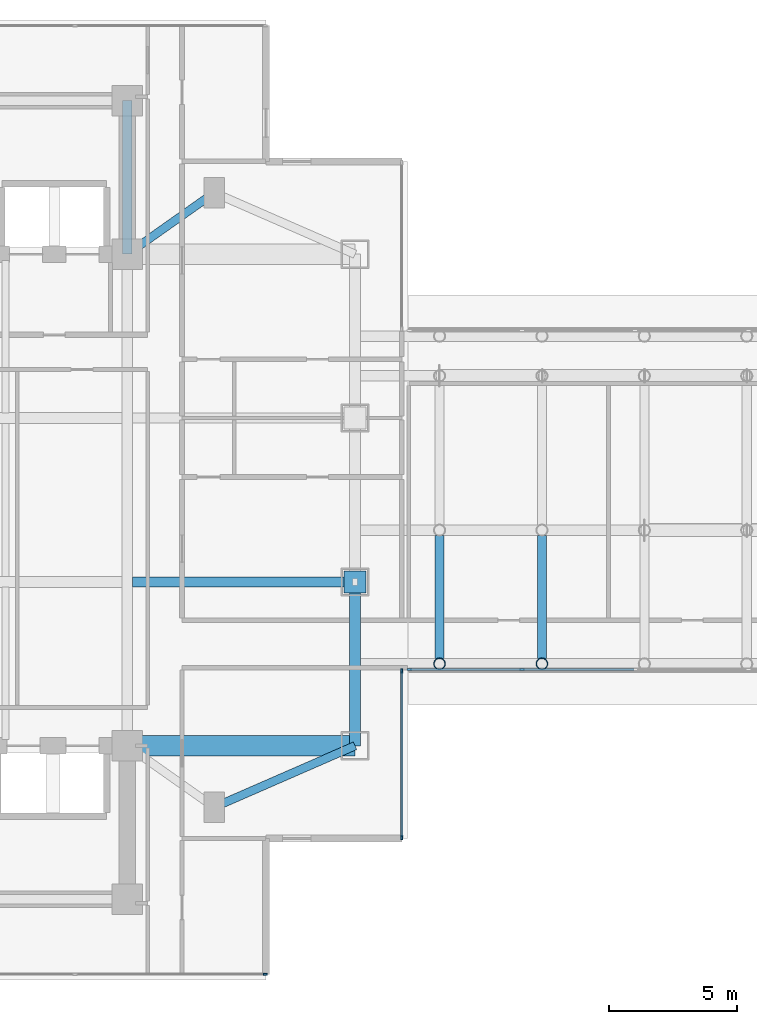
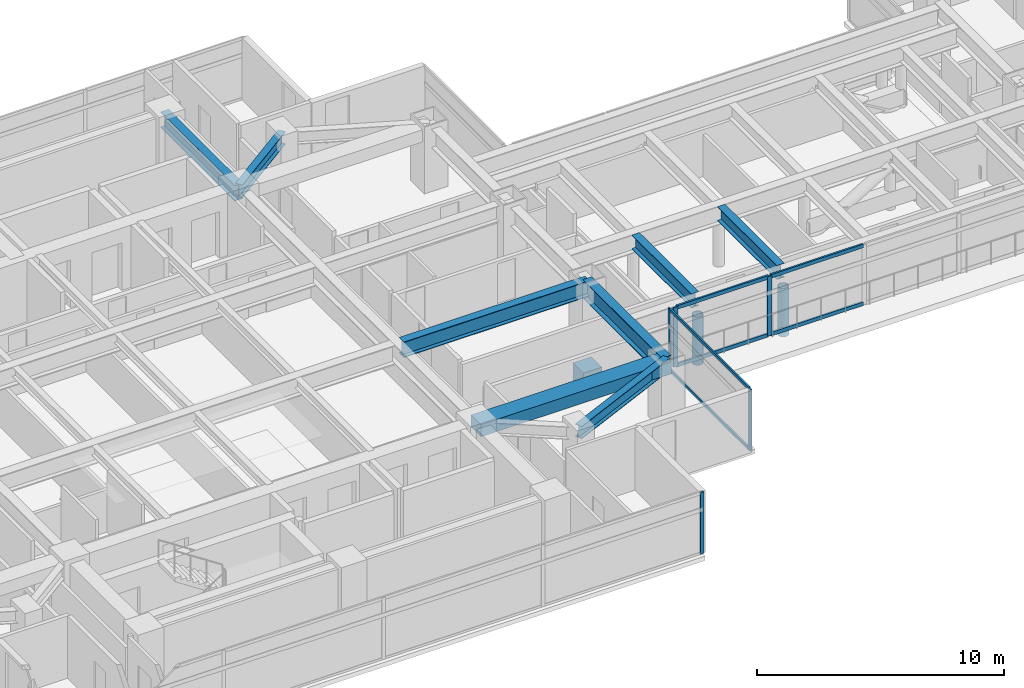
# One storey, part 4 of 29: 14 members, 8 beams, 3 elements without a shape of their own.
"""IFC4 building model written with IfcOpenShell, lengths in metres."""

import ifcopenshell
import ifcopenshell.guid

model = None  # the IFC model being written
_history = None  # IfcOwnerHistory: only IFC2X3 demands one
_inside = {}  # id of a spatial element -> (the spatial element, [elements in it])
_under = {}  # id of a project, library or spatial element -> (it, [spatial elements below it])
_declared = {}  # id of a project -> (the project, [libraries it declares])
_typed = {}  # id of a type object -> (the type object, [elements of that type])
_made_of = {}  # id of a material, layer set ... -> (it, [elements and type objects made of it])


def new_model(schema):
    """Start an empty IFC model of exactly this schema.

    Asked for "IFC4X3", IfcOpenShell would pick the latest addendum, in which some entities
    have other attributes; the version numbers below select the first issue.
    IFC2X3 requires an IfcOwnerHistory on every rooted entity: one is made here for all.
    """
    global model, _history
    if schema == "IFC4X3":
        model = ifcopenshell.file(schema_version=(4, 3, 0, 0))
    else:
        model = ifcopenshell.file(schema=schema)
    _inside.clear()
    _under.clear()
    _declared.clear()
    _typed.clear()
    _made_of.clear()
    _history = None
    if model.schema == "IFC2X3":
        org = make("IfcOrganization", Name="unknown")
        user = make(
            "IfcPersonAndOrganization",
            ThePerson=make("IfcPerson", FamilyName="unknown"),
            TheOrganization=org,
        )
        app = make(
            "IfcApplication",
            ApplicationDeveloper=org,
            Version="unknown",
            ApplicationFullName="unknown",
            ApplicationIdentifier="unknown",
        )
        _history = make(
            "IfcOwnerHistory",
            OwningUser=user,
            OwningApplication=app,
            ChangeAction="ADDED",
            CreationDate=0,
        )
    return model


def make(cls, **values):
    """One entity of the class cls with the attributes given. An attribute that is None is left unset."""
    return model.create_entity(
        cls, **{name: value for name, value in values.items() if value is not None}
    )


def rooted(cls, **values):
    """An entity with a GlobalId (a new one), such as an element, a storey or a relation."""
    return make(cls, GlobalId=ifcopenshell.guid.new(), OwnerHistory=_history, **values)


def si_unit(unit_type, name, prefix=None):
    """IfcSIUnit, for example si_unit("LENGTHUNIT", "METRE", prefix="MILLI")."""
    return make("IfcSIUnit", UnitType=unit_type, Prefix=prefix, Name=name)


def assignment(units):
    """IfcUnitAssignment: the units of a project."""
    return None if units is None else make("IfcUnitAssignment", Units=units)


def point(xyz):
    """IfcCartesianPoint."""
    return None if xyz is None else make("IfcCartesianPoint", Coordinates=xyz)


def direction(xyz):
    """IfcDirection."""
    return None if xyz is None else make("IfcDirection", DirectionRatios=xyz)


def frame(location, z_axis=None, x_axis=None):
    """IfcAxis2Placement3D, a coordinate frame: its origin and axes. An axis left out is left unset."""
    return make(
        "IfcAxis2Placement3D",
        Location=point(location),
        Axis=direction(z_axis),
        RefDirection=direction(x_axis),
    )


def frame_2d(location, x_axis=None):
    """IfcAxis2Placement2D, a coordinate frame in the plane: its origin and x axis."""
    return make(
        "IfcAxis2Placement2D", Location=point(location), RefDirection=direction(x_axis)
    )


def origin():
    """The frame at (0, 0, 0) with its axes left unset."""
    return frame((0.0, 0.0, 0.0))


def origin_2d():
    """The frame at (0, 0) in the plane with its x axis left unset."""
    return frame_2d((0.0, 0.0))


def place(relative_to, where):
    """IfcLocalPlacement: puts the frame where relative to a parent placement (None: the world)."""
    return make(
        "IfcLocalPlacement", PlacementRelTo=relative_to, RelativePlacement=where
    )


def context(
    kind, dimensions, precision=None, world=None, true_north=None, identifier=None
):
    """IfcGeometricRepresentationContext, for example the 3D "Model" context."""
    return make(
        "IfcGeometricRepresentationContext",
        ContextIdentifier=identifier,
        ContextType=kind,
        CoordinateSpaceDimension=dimensions,
        Precision=precision,
        WorldCoordinateSystem=world,
        TrueNorth=true_north,
    )


def subcontext(parent, identifier, kind, view, scale=None):
    """IfcGeometricRepresentationSubContext, for example "Body" below "Model"."""
    return make(
        "IfcGeometricRepresentationSubContext",
        ContextIdentifier=identifier,
        ContextType=kind,
        ParentContext=parent,
        TargetScale=scale,
        TargetView=view,
    )


def project(units=None, contexts=None):
    """IfcProject with its units and contexts."""
    return rooted(
        "IfcProject",
        Name="project",
        RepresentationContexts=contexts,
        UnitsInContext=assignment(units),
    )


def spatial(cls, under=None, at=None, **own):
    """A site, building, storey or space (cls), placed at a placement, below another one or the project."""
    s = rooted(cls, ObjectPlacement=at, **own)
    if under is not None:
        _under.setdefault(under.id(), (under, []))[1].append(s)
    return s


def profile(cls, at=None, kind="AREA", **sizes):
    """A parametric profile (cls). Its sizes go by their IFC names, for example OverallWidth=200.0."""
    return make(cls, ProfileType=kind, Position=at, **sizes)


def rectangle(**sizes):
    """IfcRectangleProfileDef."""
    return profile("IfcRectangleProfileDef", **sizes)


def hollow_circle(**sizes):
    """IfcCircleHollowProfileDef."""
    return profile("IfcCircleHollowProfileDef", **sizes)


def i_section(**sizes):
    """IfcIShapeProfileDef."""
    return profile("IfcIShapeProfileDef", **sizes)


def extrude(swept, where, along, depth):
    """IfcExtrudedAreaSolid: the profile swept, set in the frame where, extruded along a direction by depth."""
    return make(
        "IfcExtrudedAreaSolid",
        SweptArea=swept,
        Position=where,
        ExtrudedDirection=direction(along),
        Depth=depth,
    )


def shape(context_of_items, identifier, shape_type, items):
    """IfcShapeRepresentation: the items that make up one representation, for example the "Body"."""
    return make(
        "IfcShapeRepresentation",
        ContextOfItems=context_of_items,
        RepresentationIdentifier=identifier,
        RepresentationType=shape_type,
        Items=items,
    )


def material(Name=None, Category=None):
    """IfcMaterial."""
    return make("IfcMaterial", Name=Name, Category=Category)


def material_profile(
    of_material, cross_section, Name=None, Category=None, Priority=None
):
    """IfcMaterialProfile: a cross section and its material."""
    return make(
        "IfcMaterialProfile",
        Name=Name,
        Material=of_material,
        Profile=cross_section,
        Priority=Priority,
        Category=Category,
    )


def profile_set(profiles, Name=None, composite=None):
    """IfcMaterialProfileSet."""
    return make(
        "IfcMaterialProfileSet",
        Name=Name,
        MaterialProfiles=profiles,
        CompositeProfile=composite,
    )


def made_of(thing, what):
    """Note that an element or type object is made of a material, layer set ...; save() writes the relation."""
    if what is not None:
        _made_of.setdefault(what.id(), (what, []))[1].append(thing)
    return thing


def type_object(cls, material=None, **own):
    """A type object (cls), such as IfcWallType, which elements share."""
    return made_of(rooted(cls, **own), material)


def element(
    cls,
    number,
    at=None,
    inside=None,
    cuts=None,
    type_object=None,
    material=None,
    context=None,
    identifier="Body",
    shape_type=None,
    held_by="IfcProductDefinitionShape",
    body=None,
    shapes=None,
    **own,
):
    """One element of the class cls, such as IfcWall. Its Tag is "e" and its number.

    at: its placement. inside: the storey or other place that contains it. cuts: it is an
    opening in that element (IfcRelVoidsElement). A single representation is given by context,
    identifier, shape_type and body (its items); several are given by shapes. held_by: the class
    of the entity that holds the representations. save() writes the other relations.
    """
    e = rooted(cls, Tag="e%d" % number, ObjectPlacement=at, **own)
    if body is not None:
        shapes = [shape(context, identifier, shape_type, body)]
    if shapes is not None:
        e.Representation = make(held_by, Representations=shapes)
    if inside is not None:
        _inside.setdefault(inside.id(), (inside, []))[1].append(e)
    if cuts is not None:
        rooted(
            "IfcRelVoidsElement", RelatingBuildingElement=cuts, RelatedOpeningElement=e
        )
    if type_object is not None:
        _typed.setdefault(type_object.id(), (type_object, []))[1].append(e)
    return made_of(e, material)


def aggregate(whole, parts):
    """IfcRelAggregates: a whole, such as a stair, and the parts it consists of."""
    return rooted("IfcRelAggregates", RelatingObject=whole, RelatedObjects=parts)


def save(model, path):
    """Write the relations noted so far, then the file.

    IfcRelAggregates (storeys below a building ...), IfcRelContainedInSpatialStructure (elements
    in a storey), IfcRelDefinesByType, IfcRelAssociatesMaterial and IfcRelDeclares: one each for
    every whole, place, type object, material and project.
    """
    for whole, parts in _under.values():
        aggregate(whole, parts)
    for where, things in _inside.values():
        rooted(
            "IfcRelContainedInSpatialStructure",
            RelatedElements=things,
            RelatingStructure=where,
        )
    for kind, things in _typed.values():
        rooted("IfcRelDefinesByType", RelatedObjects=things, RelatingType=kind)
    for what, things in _made_of.values():
        rooted("IfcRelAssociatesMaterial", RelatedObjects=things, RelatingMaterial=what)
    for by, libraries in _declared.values():
        rooted("IfcRelDeclares", RelatingContext=by, RelatedDefinitions=libraries)
    model.write(path)


model = new_model("IFC4")

# Units and contexts
model_context = context("Model", 3, precision=1e-05, world=origin(), true_north=direction((0.0, 1.0)))
body_context = subcontext(model_context, "Body", "Model", "MODEL_VIEW")
ifc_project = project(units=[si_unit("LENGTHUNIT", "METRE"), si_unit("AREAUNIT", "SQUARE_METRE"), si_unit("VOLUMEUNIT", "CUBIC_METRE"), si_unit("PLANEANGLEUNIT", "RADIAN"), si_unit("MASSUNIT", "GRAM", prefix="KILO")], contexts=[model_context])

# Site, building, storey
site_placement = place(None, origin())
site = spatial("IfcSite", under=ifc_project, at=site_placement, CompositionType="ELEMENT")
building_placement = place(site_placement, origin())
building = spatial("IfcBuilding", under=site, at=building_placement, Name="Mirazonda Arch Towers", CompositionType="ELEMENT")
storey_placement = place(building_placement, frame((0.0, 0.0, 88.39990234375)))
storey = spatial("IfcBuildingStorey", under=building, at=storey_placement, Name="L24", CompositionType="ELEMENT", Elevation=88.39990234375)

# Beams
ifc_material_1 = material(Name="Steel ASTM A992 Grade 50", Category="steel")
ifc_material_profile_1 = material_profile(ifc_material_1, i_section(OverallWidth=0.41796875, OverallDepth=0.927001953125, WebThickness=0.019287109375, FlangeThickness=0.031982421875, at=origin_2d()), Name="W36X231")
ifc_profile_set_1 = profile_set([ifc_material_profile_1], Name="Steel ASTM A992 Grade 50")
beam_type_1 = type_object("IfcBeamType", Name="BM-EXT-W36X231", PredefinedType="USERDEFINED", material=ifc_profile_set_1)
beam_1_placement = place(storey_placement, frame((38.89990234375, 18.39990234375, 2.61669921875), z_axis=(0.0, 1.0, 0.0), x_axis=(-1.0, 0.0, 0.0)))
element("IfcBeam", 1, at=beam_1_placement, inside=storey, type_object=beam_type_1, Name="L24 Floor Beam BM-T1-L24-NS-E-18", ObjectType="GIRDER", PredefinedType="USERDEFINED", context=body_context, shape_type="SweptSolid", body=[
    extrude(i_section(OverallWidth=0.41796875, OverallDepth=0.927001953125, WebThickness=0.019287109375, FlangeThickness=0.031982421875, at=origin_2d()), origin(), (0.0, 0.0, 1.0), 6.400146484375),
])
ifc_material_profile_2 = material_profile(ifc_material_1, i_section(OverallWidth=0.324951171875, OverallDepth=0.615966796875, WebThickness=0.013916015625, FlangeThickness=0.021484375, at=origin_2d()), Name="W24X117")
ifc_profile_set_2 = profile_set([ifc_material_profile_2], Name="Steel ASTM A992 Grade 50")
beam_type_2 = type_object("IfcBeamType", Name="BM-INT-W24X117", PredefinedType="BEAM", material=ifc_profile_set_2)
beam_2_placement = place(storey_placement, frame((33.39990234375, 16.0, 2.772216796875), z_axis=(0.916545343703, 0.399930785183, 0.0), x_axis=(-0.399930785183, 0.916545343703, 0.0)))
element("IfcBeam", 2, at=beam_2_placement, inside=storey, type_object=beam_type_2, Name="L24 Floor Beam BM-T1-L24-PL-SE2", PredefinedType="BEAM", context=body_context, shape_type="SweptSolid", body=[
    extrude(i_section(OverallWidth=0.324951171875, OverallDepth=0.615966796875, WebThickness=0.013916015625, FlangeThickness=0.021484375, at=origin_2d()), origin(), (0.0, 0.0, 1.0), 6.000732421875),
])
beam_3_placement = place(storey_placement, frame((33.39990234375, 40.0, 2.772216796875), z_axis=(-0.816971114901, -0.576678591087, 0.0), x_axis=(0.576678591087, -0.816971114901, 0.0)))
element("IfcBeam", 3, at=beam_3_placement, inside=storey, type_object=beam_type_2, Name="L24 Floor Beam BM-T1-L24-PL-NE1", PredefinedType="BEAM", context=body_context, shape_type="SweptSolid", body=[
    extrude(i_section(OverallWidth=0.324951171875, OverallDepth=0.615966796875, WebThickness=0.013916015625, FlangeThickness=0.021484375, at=origin_2d()), origin(), (0.0, 0.0, 1.0), 4.16162109375),
])
ifc_material_profile_3 = material_profile(ifc_material_1, i_section(OverallWidth=0.35498046875, OverallDepth=0.696044921875, WebThickness=0.015380859375, FlangeThickness=0.02490234375, at=origin_2d()), Name="W27X146")
ifc_profile_set_3 = profile_set([ifc_material_profile_3], Name="Steel ASTM A992 Grade 50")
beam_type_3 = type_object("IfcBeamType", Name="BM-INT-W27X146", PredefinedType="BEAM", material=ifc_profile_set_3)
for number, where, z_axis, x_axis, name in (
    (4, (42.199951171875, 21.803955078125, 2.672119140625), (0.0, 1.0, 0.0), (-1.0, 0.0, 0.0), "L24 Floor Beam BM-BRG-L25-XG1A"),
    (5, (46.199951171875, 21.803955078125, 2.672119140625), (0.0, 1.0, 0.0), (-1.0, 0.0, 0.0), "L24 Floor Beam BM-BRG-L25-XG2A"),
):
    element("IfcBeam", number, at=place(storey_placement, frame(where, z_axis=z_axis, x_axis=x_axis)), inside=storey, type_object=beam_type_3, Name=name, PredefinedType="BEAM", context=body_context, shape_type="SweptSolid", body=[
        extrude(i_section(OverallWidth=0.35498046875, OverallDepth=0.696044921875, WebThickness=0.015380859375, FlangeThickness=0.02490234375, at=origin_2d()), origin(), (0.0, 0.0, 1.0), 4.81201171875),
    ])
ifc_material_profile_4 = material_profile(ifc_material_1, i_section(OverallWidth=0.381103515625, OverallDepth=0.77294921875, WebThickness=0.0166015625, FlangeThickness=0.027099609375, at=origin_2d()), Name="W30X173")
ifc_profile_set_4 = profile_set([ifc_material_profile_4], Name="Steel ASTM A992 Grade 50")
beam_type_4 = type_object("IfcBeamType", Name="BM-INT-W30X173", PredefinedType="USERDEFINED", material=ifc_profile_set_4)
beam_4_placement = place(storey_placement, frame((30.21142578125, 24.800048828125, 2.693603515625), z_axis=(1.0, 0.0, 0.0), x_axis=(0.0, 1.0, 0.0)))
element("IfcBeam", 6, at=beam_4_placement, inside=storey, type_object=beam_type_4, Name="L24 Floor Beam BM-T1-L24-GE2", ObjectType="GIRDER", PredefinedType="USERDEFINED", context=body_context, shape_type="SweptSolid", body=[
    extrude(i_section(OverallWidth=0.381103515625, OverallDepth=0.77294921875, WebThickness=0.0166015625, FlangeThickness=0.027099609375, at=origin_2d()), origin(), (0.0, 0.0, 1.0), 8.6884765625),
])
beam_5_placement = place(storey_placement, frame((30.0, 37.60009765625, 2.693603515625), z_axis=(0.0, 1.0, 0.0), x_axis=(-1.0, 0.0, 0.0)))
element("IfcBeam", 7, at=beam_5_placement, inside=storey, type_object=beam_type_4, Name="L24 Floor Beam BM-T1-L24-CNE", ObjectType="GIRDER", PredefinedType="USERDEFINED", context=body_context, shape_type="SweptSolid", body=[
    extrude(i_section(OverallWidth=0.381103515625, OverallDepth=0.77294921875, WebThickness=0.0166015625, FlangeThickness=0.027099609375, at=origin_2d()), origin(), (0.0, 0.0, 1.0), 6.0),
])
ifc_material_2 = material(Name="Concrete C60/75", Category="concrete")
ifc_material_profile_5 = material_profile(ifc_material_2, rectangle(XDim=0.800048828125, YDim=0.60009765625, at=origin_2d()), Name="RCCB800x600")
ifc_profile_set_5 = profile_set([ifc_material_profile_5], Name="Concrete C60/75")
beam_type_5 = type_object("IfcBeamType", Name="CB-INT-RCCB800x600", PredefinedType="SPANDREL", material=ifc_profile_set_5)
beam_6_placement = place(storey_placement, frame((30.0, 18.39990234375, 2.780029296875), z_axis=(1.0, 0.0, 0.0), x_axis=(0.0, 1.0, 0.0)))
element("IfcBeam", 8, at=beam_6_placement, inside=storey, type_object=beam_type_5, Name="L24 Floor Beam CBC-T1-L24-SE", PredefinedType="SPANDREL", context=body_context, shape_type="SweptSolid", body=[
    extrude(rectangle(XDim=0.800048828125, YDim=0.60009765625, at=origin_2d()), origin(), (0.0, 0.0, 1.0), 8.89990234375),
])

# Members
ifc_material_3 = material(Name="Steel ASTM A572 Grade 50", Category="steel")
ifc_material_profile_6 = material_profile(ifc_material_3, hollow_circle(Radius=0.228515625, WallThickness=0.02197265625, at=origin_2d()), Name="BELTSTRUT457x22CHS")
ifc_profile_set_6 = profile_set([ifc_material_profile_6], Name="Steel ASTM A572 Grade 50")
member_type_1 = type_object("IfcMemberType", Name="MBR-EXT-BELTSTRUT457x22CHS", PredefinedType="STRUT", material=ifc_profile_set_6)
for number, where, z_axis, x_axis, name in (
    (9, (42.199951171875, 21.60009765625, -0.289794921875), (0.0, 0.0, 1.0), (1.0, 0.0, 0.0), "L24 Skybridge S Vierendeel Post 1"),
    (10, (46.199951171875, 21.60009765625, -0.289794921875), (0.0, 0.0, 1.0), (1.0, 0.0, 0.0), "L24 Skybridge S Vierendeel Post 2"),
):
    element("IfcMember", number, at=place(storey_placement, frame(where, z_axis=z_axis, x_axis=x_axis)), inside=storey, type_object=member_type_1, Name=name, PredefinedType="STRUT", context=body_context, shape_type="SweptSolid", body=[
        extrude(hollow_circle(Radius=0.228515625, WallThickness=0.02197265625, at=origin_2d()), origin(), (0.0, 0.0, 1.0), 2.392822265625),
    ])
ifc_material_profile_7 = material_profile(ifc_material_3, rectangle(XDim=0.85009765625, YDim=0.85009765625, at=origin_2d()), Name="SLIDEBEARING850x850x220")
ifc_profile_set_7 = profile_set([ifc_material_profile_7], Name="Steel ASTM A572 Grade 50")
member_type_2 = type_object("IfcMemberType", Name="MBR-EXT-SLIDEBEARING850x850x220", PredefinedType="USERDEFINED", material=ifc_profile_set_7)
member_1_placement = place(storey_placement, frame((38.89990234375, 24.800048828125, -2.156982421875), z_axis=(0.0, 0.0, 1.0), x_axis=(1.0, 0.0, 0.0)))
element("IfcMember", 11, at=member_1_placement, inside=storey, type_object=member_type_2, Name="SB1 Skybridge Bearing BRG-BEAR-SB1-1", ObjectType="BEARING", PredefinedType="USERDEFINED", context=body_context, shape_type="SweptSolid", body=[
    extrude(rectangle(XDim=0.85009765625, YDim=0.85009765625, at=origin_2d()), origin(), (0.0, 0.0, 1.0), 0.9501953125),
])

# Curtain wall, members
ifc_material_4 = material(Name="Anodised Aluminium and Low-E Glass", Category="aluminium")
curtain_wall_type_1 = type_object("IfcCurtainWallType", Name="CW-BRG-LINK", PredefinedType="NOTDEFINED", material=ifc_material_4)
curtain_wall_1_placement = place(storey_placement, origin())
curtain_wall_1 = element("IfcCurtainWall", 12, at=curtain_wall_1_placement, inside=storey, type_object=curtain_wall_type_1, Name="L24 Skybridge South Glazing CW-L24-BRG-S", PredefinedType="NOTDEFINED")
ifc_material_5 = material(Name="Anodised Aluminium Alloy", Category="aluminium")
ifc_material_profile_8 = material_profile(ifc_material_5, rectangle(XDim=0.0849609375, YDim=0.199951171875, at=origin_2d()), Name="ALU-MULL-85x200")
ifc_profile_set_8 = profile_set([ifc_material_profile_8], Name="Anodised Aluminium Alloy")
member_type_3 = type_object("IfcMemberType", Name="MULL-CW-BRG-LINK", PredefinedType="MULLION", material=ifc_profile_set_8)
member_2_placement = place(storey_placement, frame((45.414306640625, 21.3798828125, 0.06005859375), z_axis=(0.0, 0.0, 1.0), x_axis=(0.0, -1.0, 0.0)))
member_2 = element("IfcMember", 13, at=member_2_placement, type_object=member_type_3, Name="CW-103 mullion 4", PredefinedType="MULLION", context=body_context, shape_type="SweptSolid", body=[
    extrude(rectangle(XDim=0.0849609375, YDim=0.199951171875, at=origin_2d()), origin(), (0.0, 0.0, 1.0), 2.93994140625),
])
member_3_placement = place(storey_placement, frame((41.032470703125, 21.3798828125, 0.06005859375), z_axis=(0.0, 0.0, 1.0), x_axis=(0.0, -1.0, 0.0)))
member_3 = element("IfcMember", 14, at=member_3_placement, type_object=member_type_3, Name="CW-103 mullion 5", PredefinedType="MULLION", context=body_context, shape_type="SweptSolid", body=[
    extrude(rectangle(XDim=0.0849609375, YDim=0.199951171875, at=origin_2d()), origin(), (0.0, 0.0, 1.0), 2.93994140625),
])

# Curtain wall, member
curtain_wall_type_2 = type_object("IfcCurtainWallType", Name="CW-HTL-UNIT", PredefinedType="NOTDEFINED", material=ifc_material_4)
curtain_wall_2_placement = place(storey_placement, origin())
curtain_wall_2 = element("IfcCurtainWall", 15, at=curtain_wall_2_placement, inside=storey, type_object=curtain_wall_type_2, Name="L24 T1 S Facade CW-L24-T1-S", PredefinedType="NOTDEFINED")
ifc_material_profile_9 = material_profile(ifc_material_5, rectangle(XDim=0.074951171875, YDim=0.1650390625, at=origin_2d()), Name="ALU-MULL-75x165")
ifc_profile_set_9 = profile_set([ifc_material_profile_9], Name="Anodised Aluminium Alloy")
member_type_4 = type_object("IfcMemberType", Name="MULL-CW-HTL-UNIT", PredefinedType="MULLION", material=ifc_profile_set_9)
member_4_placement = place(storey_placement, frame((35.387451171875, 9.469970703125, 0.0), z_axis=(0.0, 0.0, 1.0), x_axis=(0.0, -1.0, 0.0)))
member_4 = element("IfcMember", 16, at=member_4_placement, type_object=member_type_4, Name="CW-112 mullion 1", PredefinedType="MULLION", context=body_context, shape_type="SweptSolid", body=[
    extrude(rectangle(XDim=0.074951171875, YDim=0.1650390625, at=origin_2d()), origin(), (0.0, 0.0, 1.0), 3.06005859375),
])
aggregate(curtain_wall_2, [member_4])

# Curtain wall, members
curtain_wall_3_placement = place(storey_placement, origin())
curtain_wall_3 = element("IfcCurtainWall", 17, at=curtain_wall_3_placement, inside=storey, type_object=curtain_wall_type_2, Name="L24 Curtain Wall CW-L24-T1-E1", PredefinedType="NOTDEFINED")
member_5_placement = place(storey_placement, frame((40.72998046875, 14.8125, 0.0), z_axis=(0.0, 0.0, 1.0), x_axis=(-1.0, 0.0, 0.0)))
member_5 = element("IfcMember", 18, at=member_5_placement, type_object=member_type_4, Name="CW-112 mullion 1", PredefinedType="MULLION", context=body_context, shape_type="SweptSolid", body=[
    extrude(rectangle(XDim=0.074951171875, YDim=0.1650390625, at=origin_2d()), origin(), (0.0, 0.0, 1.0), 3.06005859375),
])
member_6_placement = place(storey_placement, frame((40.72998046875, 21.322509765625, 0.0), z_axis=(0.0, 0.0, 1.0), x_axis=(-1.0, 0.0, 0.0)))
member_6 = element("IfcMember", 19, at=member_6_placement, type_object=member_type_4, Name="CW-112 mullion 2", PredefinedType="MULLION", context=body_context, shape_type="SweptSolid", body=[
    extrude(rectangle(XDim=0.074951171875, YDim=0.1650390625, at=origin_2d()), origin(), (0.0, 0.0, 1.0), 3.06005859375),
])

# Member
ifc_material_profile_10 = material_profile(ifc_material_5, rectangle(XDim=0.0849609375, YDim=0.179931640625, at=origin_2d()), Name="ALU-TRAN-85x180")
ifc_profile_set_10 = profile_set([ifc_material_profile_10], Name="Anodised Aluminium Alloy")
member_type_5 = type_object("IfcMemberType", Name="TRAN-CW-BRG-LINK", PredefinedType="USERDEFINED", material=ifc_profile_set_10)
member_7_placement = place(storey_placement, frame((49.796142578125, 21.3798828125, 0.1025390625), z_axis=(-1.0, 0.0, 0.0), x_axis=(0.0, -1.0, 0.0)))
member_7 = element("IfcMember", 20, at=member_7_placement, type_object=member_type_5, Name="CW-103 transom 3.1", ObjectType="TRANSOM", PredefinedType="USERDEFINED", context=body_context, shape_type="SweptSolid", body=[
    extrude(rectangle(XDim=0.0849609375, YDim=0.179931640625, at=origin_2d()), origin(), (0.0, 0.0, 1.0), 4.33935546875),
])

member_8_placement = place(storey_placement, frame((49.796142578125, 21.3798828125, 2.95751953125), z_axis=(-1.0, 0.0, 0.0), x_axis=(0.0, -1.0, 0.0)))
member_8 = element("IfcMember", 21, at=member_8_placement, type_object=member_type_5, Name="CW-103 transom 3.2", ObjectType="TRANSOM", PredefinedType="USERDEFINED", context=body_context, shape_type="SweptSolid", body=[
    extrude(rectangle(XDim=0.0849609375, YDim=0.179931640625, at=origin_2d()), origin(), (0.0, 0.0, 1.0), 4.33935546875),
])

member_9_placement = place(storey_placement, frame((45.371826171875, 21.3798828125, 0.1025390625), z_axis=(-1.0, 0.0, 0.0), x_axis=(0.0, -1.0, 0.0)))
member_9 = element("IfcMember", 22, at=member_9_placement, type_object=member_type_5, Name="CW-103 transom 4.1", ObjectType="TRANSOM", PredefinedType="USERDEFINED", context=body_context, shape_type="SweptSolid", body=[
    extrude(rectangle(XDim=0.0849609375, YDim=0.179931640625, at=origin_2d()), origin(), (0.0, 0.0, 1.0), 4.296875),
])

member_10_placement = place(storey_placement, frame((45.371826171875, 21.3798828125, 2.95751953125), z_axis=(-1.0, 0.0, 0.0), x_axis=(0.0, -1.0, 0.0)))
member_10 = element("IfcMember", 23, at=member_10_placement, type_object=member_type_5, Name="CW-103 transom 4.2", ObjectType="TRANSOM", PredefinedType="USERDEFINED", context=body_context, shape_type="SweptSolid", body=[
    extrude(rectangle(XDim=0.0849609375, YDim=0.179931640625, at=origin_2d()), origin(), (0.0, 0.0, 1.0), 4.296875),
])

aggregate(curtain_wall_1, [member_2, member_3, member_7, member_8, member_9, member_10])

ifc_material_profile_11 = material_profile(ifc_material_5, rectangle(XDim=0.074951171875, YDim=0.14501953125, at=origin_2d()), Name="ALU-TRAN-75x145")
ifc_profile_set_11 = profile_set([ifc_material_profile_11], Name="Anodised Aluminium Alloy")
member_type_6 = type_object("IfcMemberType", Name="TRAN-CW-HTL-UNIT", PredefinedType="USERDEFINED", material=ifc_profile_set_11)
member_11_placement = place(storey_placement, frame((40.72998046875, 14.85009765625, 0.03759765625), z_axis=(0.0, 1.0, 0.0), x_axis=(-1.0, 0.0, 0.0)))
member_11 = element("IfcMember", 24, at=member_11_placement, type_object=member_type_6, Name="CW-112 transom 1.1", ObjectType="TRANSOM", PredefinedType="USERDEFINED", context=body_context, shape_type="SweptSolid", body=[
    extrude(rectangle(XDim=0.074951171875, YDim=0.14501953125, at=origin_2d()), origin(), (0.0, 0.0, 1.0), 6.434814453125),
])

member_12_placement = place(storey_placement, frame((40.72998046875, 14.85009765625, 3.022705078125), z_axis=(0.0, 1.0, 0.0), x_axis=(-1.0, 0.0, 0.0)))
member_12 = element("IfcMember", 25, at=member_12_placement, type_object=member_type_6, Name="CW-112 transom 1.2", ObjectType="TRANSOM", PredefinedType="USERDEFINED", context=body_context, shape_type="SweptSolid", body=[
    extrude(rectangle(XDim=0.074951171875, YDim=0.14501953125, at=origin_2d()), origin(), (0.0, 0.0, 1.0), 6.434814453125),
])

aggregate(curtain_wall_3, [member_5, member_6, member_11, member_12])

save(model, "model.ifc")
